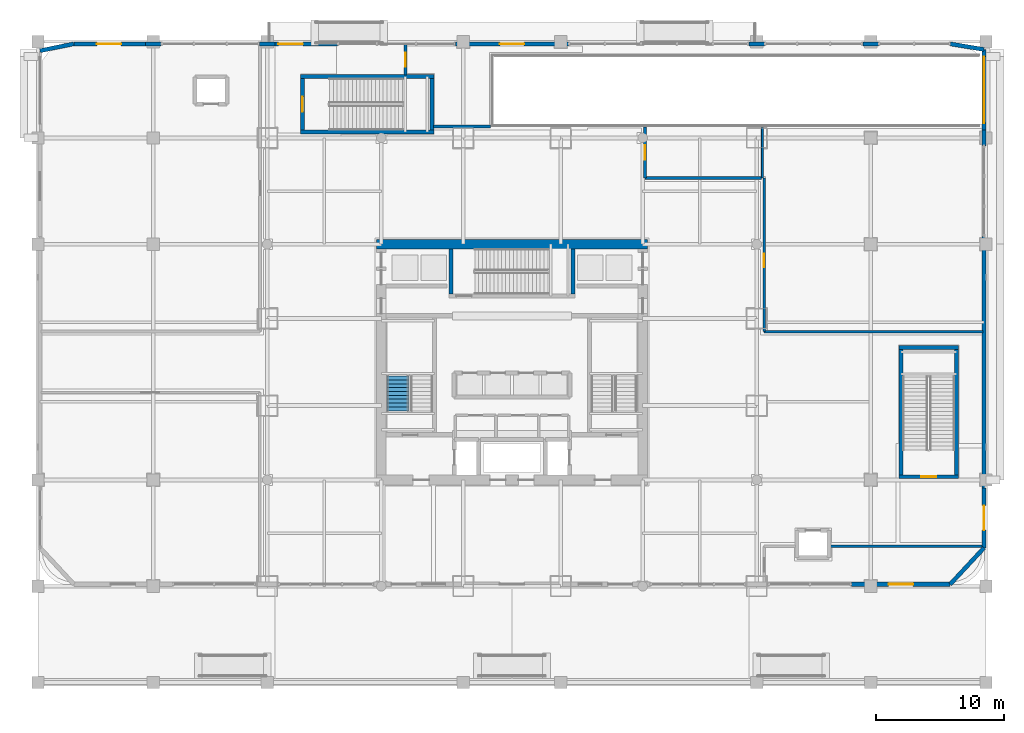
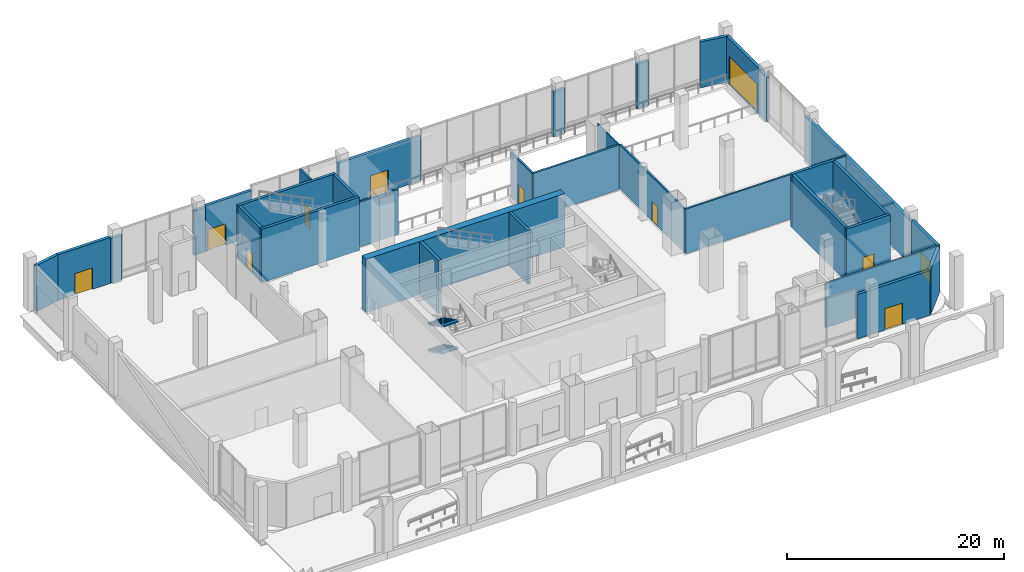
# One storey, part 23 of 32: 34 walls, 11 doors, 2 stair flights, 11 openings, 1 element without a shape of its own.
"""IFC4 building model written with IfcOpenShell, lengths in metres."""

from ifc_helpers import new_model, si_unit, direction, frame, frame_2d, origin, place, context, subcontext, project, spatial, polyline, rectangle, outline, extrude, material, layer, layer_set, type_object, element, fill, aggregate, save


model = new_model("IFC4")

# Units and contexts
model_context = context("Model", 3, precision=1e-05, world=origin(), true_north=direction((0.0, 1.0)))
body_context = subcontext(model_context, "Body", "Model", "MODEL_VIEW")
ifc_project = project(units=[si_unit("LENGTHUNIT", "METRE"), si_unit("AREAUNIT", "SQUARE_METRE"), si_unit("VOLUMEUNIT", "CUBIC_METRE"), si_unit("PLANEANGLEUNIT", "RADIAN"), si_unit("MASSUNIT", "GRAM", prefix="KILO")], contexts=[model_context])

# Site, building, storey
site_placement = place(None, origin())
site = spatial("IfcSite", under=ifc_project, at=site_placement, CompositionType="ELEMENT")
building_placement = place(site_placement, origin())
building = spatial("IfcBuilding", under=site, at=building_placement, Name="Punatoya Terracotta Tower", CompositionType="ELEMENT")
storey_placement = place(building_placement, origin())
storey = spatial("IfcBuildingStorey", under=building, at=storey_placement, Name="L00", CompositionType="ELEMENT", Elevation=0.0)

# Walls
ifc_material_1 = material(Name="Concrete C60/75", Category="concrete")
ifc_layer_1 = layer(ifc_material_1, 0.75)
ifc_layer_set_1 = layer_set([ifc_layer_1], Name="Concrete C60/75")
wall_type_1 = type_object("IfcWallType", Name="WL-COR-750", PredefinedType="SHEAR", material=ifc_layer_set_1)
wall_1_placement = place(storey_placement, frame((-10.574951171875, 9.199951171875, 0.0), z_axis=(0.0, 0.0, 1.0), x_axis=(1.0, 0.0, 0.0)))
element("IfcWall", 1, at=wall_1_placement, inside=storey, type_object=wall_type_1, Name="L00 Core Shear Wall N", PredefinedType="SHEAR", context=body_context, shape_type="SweptSolid", body=[
    extrude(rectangle(XDim=21.14990234375, YDim=0.75, at=frame_2d((10.574951171875, 0.0))), origin(), (0.0, 0.0, 1.0), 6.0),
])
ifc_material_2 = material(Name="Gypsum Fireboard + Steel Stud", Category="steel")
ifc_layer_2 = layer(ifc_material_2, 0.179931640625)
ifc_layer_set_2 = layer_set([ifc_layer_2], Name="Gypsum Fireboard + Steel Stud")
wall_type_2 = type_object("IfcWallType", Name="WL-CORR-180", PredefinedType="PARTITIONING", material=ifc_layer_set_2)
wall_2_placement = place(storey_placement, frame((24.860107421875, -14.3798828125, 0.0), z_axis=(0.0, 0.0, 1.0), x_axis=(1.0, 0.0, 0.0)))
element("IfcWall", 2, at=wall_2_placement, inside=storey, type_object=wall_type_2, Name="L00 Waterfront Banking and Visitor Reception Suite Partition 14", PredefinedType="PARTITIONING", context=body_context, shape_type="SweptSolid", body=[
    extrude(rectangle(XDim=11.919921875, YDim=0.179931640625, at=frame_2d((5.9599609375, 0.0))), origin(), (0.0, 0.0, 1.0), 5.013916015625),
])

# Wall, opening, door
wall_3_placement = place(storey_placement, frame((19.679931640625, 2.3798828125, 0.0), z_axis=(0.0, 0.0, 1.0), x_axis=(0.0, 1.0, 0.0)))
wall_3 = element("IfcWall", 3, at=wall_3_placement, inside=storey, type_object=wall_type_2, Name="L00 Executive Arrival and Security Screening Suite Partition 15", PredefinedType="PARTITIONING", context=body_context, shape_type="SweptSolid", body=[
    extrude(rectangle(XDim=12.0, YDim=0.179931640625, at=frame_2d((6.0, 0.0))), origin(), (0.0, 0.0, 1.0), 5.013916015625),
])
opening_1_placement = place(wall_3_placement, frame((5.02490234375, 0.0, 0.0)))
opening_1 = element("IfcOpeningElement", 4, at=opening_1_placement, cuts=wall_3, Name="Opening OD-01", PredefinedType="OPENING", context=body_context, shape_type="SweptSolid", body=[
    extrude(rectangle(XDim=1.050048828125, YDim=2.199951171875, at=frame_2d((0.52490234375, 1.10009765625))), frame((0.0, 0.099853515625, 0.0), z_axis=(0.0, -1.0, 0.0), x_axis=(1.0, 0.0, 0.0)), (0.0, 0.0, 1.0), 0.199951171875),
])
ifc_material_3 = material(Name="Bengal Teak Solid-Core Leaf")
door_type_1 = type_object("IfcDoorType", Name="DR-OFF-1050", OperationType="NOTDEFINED", PredefinedType="DOOR", material=ifc_material_3)
door_1_placement = place(opening_1_placement, origin())
door_1 = element("IfcDoor", 5, at=door_1_placement, inside=storey, type_object=door_type_1, Name="L00 Executive Arrival and Security Screening Suite Door", OperationType="SINGLE_SWING_LEFT", OverallHeight=2.199951171875, OverallWidth=1.050048828125, PredefinedType="DOOR", context=body_context, shape_type="SweptSolid", body=[
    extrude(rectangle(XDim=1.050048828125, YDim=2.199951171875, at=frame_2d((0.52490234375, 1.10009765625))), frame((0.0, 0.02490234375, 0.0), z_axis=(0.0, -1.0, 0.0), x_axis=(1.0, 0.0, 0.0)), (0.0, 0.0, 1.0), 0.050048828125),
])
fill(opening_1, door_1)

# Wall
wall_4_placement = place(storey_placement, frame((36.780029296875, 2.3798828125, 0.0), z_axis=(0.0, 0.0, 1.0), x_axis=(-1.0, 0.0, 0.0)))
element("IfcWall", 6, at=wall_4_placement, inside=storey, type_object=wall_type_2, Name="L00 Executive Arrival and Security Screening Suite Partition 17", PredefinedType="PARTITIONING", context=body_context, shape_type="SweptSolid", body=[
    extrude(rectangle(XDim=17.10009765625, YDim=0.179931640625, at=frame_2d((8.550048828125, 0.0))), origin(), (0.0, 0.0, 1.0), 5.013916015625),
])

# Wall, opening, door
ifc_material_4 = material(Name="Precast concrete C40/50", Category="concrete")
ifc_layer_3 = layer(ifc_material_4, 0.320068359375)
ifc_layer_set_3 = layer_set([ifc_layer_3], Name="Precast concrete C40/50")
wall_type_3 = type_object("IfcWallType", Name="WL-EXT-320", PredefinedType="SOLIDWALL", material=ifc_layer_set_3)
wall_5_placement = place(storey_placement, frame((34.199951171875, -17.340087890625, 0.0), z_axis=(0.0, 0.0, 1.0), x_axis=(-1.0, 0.0, 0.0)))
wall_5 = element("IfcWall", 7, at=wall_5_placement, inside=storey, type_object=wall_type_3, Name="L00 South-East Terracotta Portal Wall", PredefinedType="SOLIDWALL", context=body_context, shape_type="SweptSolid", body=[
    extrude(rectangle(XDim=7.699951171875, YDim=0.320068359375, at=frame_2d((3.85009765625, 0.0))), origin(), (0.0, 0.0, 1.0), 5.013916015625),
])
opening_2_placement = place(wall_5_placement, frame((2.89990234375, 0.0, 0.0)))
opening_2 = element("IfcOpeningElement", 8, at=opening_2_placement, cuts=wall_5, Name="Opening EX-D1", PredefinedType="OPENING", context=body_context, shape_type="SweptSolid", body=[
    extrude(rectangle(XDim=1.89990234375, YDim=2.39990234375, at=frame_2d((0.949951171875, 1.199951171875))), frame((0.0, 0.169921875, 0.0), z_axis=(0.0, -1.0, 0.0), x_axis=(1.0, 0.0, 0.0)), (0.0, 0.0, 1.0), 0.340087890625),
])
ifc_material_5 = material(Name="Aluminium 6063-T6 + Safety Glass", Category="aluminium")
door_type_2 = type_object("IfcDoorType", Name="DR-EXIT-1900", OperationType="NOTDEFINED", PredefinedType="DOOR", material=ifc_material_5)
door_2_placement = place(opening_2_placement, origin())
door_2 = element("IfcDoor", 9, at=door_2_placement, inside=storey, type_object=door_type_2, Name="L00 South-East Waterfront Exit Door", OperationType="DOUBLE_DOOR_SINGLE_SWING", OverallHeight=2.39990234375, OverallWidth=1.89990234375, PredefinedType="DOOR", context=body_context, shape_type="SweptSolid", body=[
    extrude(rectangle(XDim=1.89990234375, YDim=2.39990234375, at=frame_2d((0.949951171875, 1.199951171875))), frame((0.0, 0.02490234375, 0.0), z_axis=(0.0, -1.0, 0.0), x_axis=(1.0, 0.0, 0.0)), (0.0, 0.0, 1.0), 0.050048828125),
])
fill(opening_2, door_2)

wall_6_placement = place(storey_placement, frame((-34.199951171875, 24.840087890625, 0.0), z_axis=(0.0, 0.0, 1.0), x_axis=(1.0, 0.0, 0.0)))
wall_6 = element("IfcWall", 10, at=wall_6_placement, inside=storey, type_object=wall_type_3, Name="L00 North-West Exit Portal", PredefinedType="SOLIDWALL", context=body_context, shape_type="SweptSolid", body=[
    extrude(rectangle(XDim=5.579833984375, YDim=0.320068359375, at=frame_2d((2.7900390625, 0.0))), origin(), (0.0, 0.0, 1.0), 5.1640625),
])
opening_3_placement = place(wall_6_placement, frame((1.800048828125, 0.0, 0.0)))
opening_3 = element("IfcOpeningElement", 11, at=opening_3_placement, cuts=wall_6, Name="Opening EX-D1", PredefinedType="OPENING", context=body_context, shape_type="SweptSolid", body=[
    extrude(rectangle(XDim=1.89990234375, YDim=2.39990234375, at=frame_2d((0.949951171875, 1.199951171875))), frame((0.0, 0.169921875, 0.0), z_axis=(0.0, -1.0, 0.0), x_axis=(1.0, 0.0, 0.0)), (0.0, 0.0, 1.0), 0.340087890625),
])
door_3_placement = place(opening_3_placement, origin())
door_3 = element("IfcDoor", 12, at=door_3_placement, inside=storey, type_object=door_type_2, Name="L00 North-West Concourse Final Exit Door", OperationType="DOUBLE_DOOR_SINGLE_SWING", OverallHeight=2.39990234375, OverallWidth=1.89990234375, PredefinedType="DOOR", context=body_context, shape_type="SweptSolid", body=[
    extrude(rectangle(XDim=1.89990234375, YDim=2.39990234375, at=frame_2d((0.949951171875, 1.199951171875))), frame((0.0, 0.02490234375, 0.0), z_axis=(0.0, -1.0, 0.0), x_axis=(1.0, 0.0, 0.0)), (0.0, 0.0, 1.0), 0.050048828125),
])
fill(opening_3, door_3)

# Walls
wall_7_placement = place(storey_placement, frame((-28.6201171875, 24.840087890625, 0.0), z_axis=(0.0, 0.0, 1.0), x_axis=(1.0, 0.0, 0.0)))
element("IfcWall", 13, at=wall_7_placement, inside=storey, type_object=wall_type_3, Name="L00 North Pier 2-H", PredefinedType="SOLIDWALL", context=body_context, shape_type="SweptSolid", body=[
    extrude(rectangle(XDim=1.240234375, YDim=0.320068359375, at=frame_2d((0.6201171875, 0.0))), origin(), (0.0, 0.0, 1.0), 5.013916015625),
])
wall_8_placement = place(storey_placement, frame((-19.719970703125, 24.840087890625, 0.0), z_axis=(0.0, 0.0, 1.0), x_axis=(1.0, 0.0, 0.0)))
element("IfcWall", 14, at=wall_8_placement, inside=storey, type_object=wall_type_3, Name="L00 North Pier 3-H", PredefinedType="SOLIDWALL", context=body_context, shape_type="SweptSolid", body=[
    extrude(rectangle(XDim=1.239990234375, YDim=0.320068359375, at=frame_2d((0.6201171875, 0.0))), origin(), (0.0, 0.0, 1.0), 5.013916015625),
])

# Wall, opening, door
wall_9_placement = place(storey_placement, frame((-18.47998046875, 24.840087890625, 0.0), z_axis=(0.0, 0.0, 1.0), x_axis=(1.0, 0.0, 0.0)))
wall_9 = element("IfcWall", 15, at=wall_9_placement, inside=storey, type_object=wall_type_3, Name="L00 Stair ST-P1 Protected Exit Portal", PredefinedType="SOLIDWALL", context=body_context, shape_type="SweptSolid", body=[
    extrude(rectangle(XDim=4.8798828125, YDim=0.320068359375, at=frame_2d((2.43994140625, 0.0))), origin(), (0.0, 0.0, 1.0), 5.1640625),
])
opening_4_placement = place(wall_9_placement, frame((0.25, 0.0, 0.0)))
opening_4 = element("IfcOpeningElement", 16, at=opening_4_placement, cuts=wall_9, Name="Opening EX-D1", PredefinedType="OPENING", context=body_context, shape_type="SweptSolid", body=[
    extrude(rectangle(XDim=1.89990234375, YDim=2.39990234375, at=frame_2d((0.949951171875, 1.199951171875))), frame((0.0, 0.169921875, 0.0), z_axis=(0.0, -1.0, 0.0), x_axis=(1.0, 0.0, 0.0)), (0.0, 0.0, 1.0), 0.340087890625),
])
door_4_placement = place(opening_4_placement, origin())
door_4 = element("IfcDoor", 17, at=door_4_placement, inside=storey, type_object=door_type_2, Name="L00 Stair ST-P1 Protected Final Exit Door", OperationType="DOUBLE_DOOR_SINGLE_SWING", OverallHeight=2.39990234375, OverallWidth=1.89990234375, PredefinedType="DOOR", context=body_context, shape_type="SweptSolid", body=[
    extrude(rectangle(XDim=1.89990234375, YDim=2.39990234375, at=frame_2d((0.949951171875, 1.199951171875))), frame((0.0, 0.02490234375, 0.0), z_axis=(0.0, -1.0, 0.0), x_axis=(1.0, 0.0, 0.0)), (0.0, 0.0, 1.0), 0.050048828125),
])
fill(opening_4, door_4)

wall_10_placement = place(storey_placement, frame((-4.419921875, 24.840087890625, 0.0), z_axis=(0.0, 0.0, 1.0), x_axis=(1.0, 0.0, 0.0)))
wall_10 = element("IfcWall", 18, at=wall_10_placement, inside=storey, type_object=wall_type_3, Name="L00 Fire Command & North Drop-Off Portal", PredefinedType="SOLIDWALL", context=body_context, shape_type="SweptSolid", body=[
    extrude(rectangle(XDim=8.83984375, YDim=0.320068359375, at=frame_2d((4.419921875, 0.0))), origin(), (0.0, 0.0, 1.0), 5.013916015625),
])
opening_5_placement = place(wall_10_placement, frame((3.469970703125, 0.0, 0.0)))
opening_5 = element("IfcOpeningElement", 19, at=opening_5_placement, cuts=wall_10, Name="Opening EX-D1", PredefinedType="OPENING", context=body_context, shape_type="SweptSolid", body=[
    extrude(rectangle(XDim=1.89990234375, YDim=2.39990234375, at=frame_2d((0.949951171875, 1.199951171875))), frame((0.0, 0.169921875, 0.0), z_axis=(0.0, -1.0, 0.0), x_axis=(1.0, 0.0, 0.0)), (0.0, 0.0, 1.0), 0.340087890625),
])
door_5_placement = place(opening_5_placement, origin())
door_5 = element("IfcDoor", 20, at=door_5_placement, inside=storey, type_object=door_type_2, Name="L00 Fire Command Direct Exterior Access Door", OperationType="DOUBLE_DOOR_SINGLE_SWING", OverallHeight=2.39990234375, OverallWidth=1.89990234375, PredefinedType="DOOR", context=body_context, shape_type="SweptSolid", body=[
    extrude(rectangle(XDim=1.89990234375, YDim=2.39990234375, at=frame_2d((0.949951171875, 1.199951171875))), frame((0.0, 0.02490234375, 0.0), z_axis=(0.0, -1.0, 0.0), x_axis=(1.0, 0.0, 0.0)), (0.0, 0.0, 1.0), 0.050048828125),
])
fill(opening_5, door_5)

# Walls
wall_11_placement = place(storey_placement, frame((18.47998046875, 24.840087890625, 0.0), z_axis=(0.0, 0.0, 1.0), x_axis=(1.0, 0.0, 0.0)))
element("IfcWall", 21, at=wall_11_placement, inside=storey, type_object=wall_type_3, Name="L00 North Pier 9-H", PredefinedType="SOLIDWALL", context=body_context, shape_type="SweptSolid", body=[
    extrude(rectangle(XDim=1.239990234375, YDim=0.320068359375, at=frame_2d((0.6201171875, 0.0))), origin(), (0.0, 0.0, 1.0), 5.013916015625),
])
wall_12_placement = place(storey_placement, frame((27.3798828125, 24.840087890625, 0.0), z_axis=(0.0, 0.0, 1.0), x_axis=(1.0, 0.0, 0.0)))
element("IfcWall", 22, at=wall_12_placement, inside=storey, type_object=wall_type_3, Name="L00 North Pier 10-H", PredefinedType="SOLIDWALL", context=body_context, shape_type="SweptSolid", body=[
    extrude(rectangle(XDim=1.240234375, YDim=0.320068359375, at=frame_2d((0.6201171875, 0.0))), origin(), (0.0, 0.0, 1.0), 5.013916015625),
])

# Wall, opening, door
wall_13_placement = place(storey_placement, frame((36.840087890625, 24.39990234375, 0.0), z_axis=(0.0, 0.0, 1.0), x_axis=(0.0, -1.0, 0.0)))
wall_13 = element("IfcWall", 23, at=wall_13_placement, inside=storey, type_object=wall_type_3, Name="L00 Basement Car-Park Ramp Exit Portal", PredefinedType="SOLIDWALL", context=body_context, shape_type="SweptSolid", body=[
    extrude(rectangle(XDim=6.2998046875, YDim=0.320068359375, at=frame_2d((3.14990234375, 0.0))), origin(), (0.0, 0.0, 1.0), 5.1640625),
])
opening_6_placement = place(wall_13_placement, frame((0.550048828125, 0.0, 0.0)))
opening_6 = element("IfcOpeningElement", 24, at=opening_6_placement, cuts=wall_13, Name="Opening VRS-1", PredefinedType="OPENING", context=body_context, shape_type="SweptSolid", body=[
    extrude(rectangle(XDim=5.199951171875, YDim=3.199951171875, at=frame_2d((2.60009765625, 1.60009765625))), frame((0.0, 0.169921875, 0.0), z_axis=(0.0, -1.0, 0.0), x_axis=(1.0, 0.0, 0.0)), (0.0, 0.0, 1.0), 0.340087890625),
])
ifc_material_6 = material(Name="Galvanised Steel Roller Shutter", Category="steel")
door_type_3 = type_object("IfcDoorType", Name="DR-SHU-5200", OperationType="NOTDEFINED", PredefinedType="GATE", material=ifc_material_6)
door_6_placement = place(opening_6_placement, origin())
door_6 = element("IfcDoor", 25, at=door_6_placement, inside=storey, type_object=door_type_3, Name="L00 Vehicle Ramp External Roller Shutter", OperationType="ROLLINGUP", OverallHeight=3.199951171875, OverallWidth=5.199951171875, PredefinedType="GATE", context=body_context, shape_type="SweptSolid", body=[
    extrude(rectangle(XDim=5.199951171875, YDim=3.199951171875, at=frame_2d((2.60009765625, 1.60009765625))), frame((0.0, 0.02490234375, 0.0), z_axis=(0.0, -1.0, 0.0), x_axis=(1.0, 0.0, 0.0)), (0.0, 0.0, 1.0), 0.050048828125),
])
fill(opening_6, door_6)

# Walls
wall_14_placement = place(storey_placement, frame((36.840087890625, 18.10009765625, 0.0), z_axis=(0.0, 0.0, 1.0), x_axis=(0.0, -1.0, 0.0)))
element("IfcWall", 26, at=wall_14_placement, inside=storey, type_object=wall_type_3, Name="L00 East Pier 11-G", PredefinedType="SOLIDWALL", context=body_context, shape_type="SweptSolid", body=[
    extrude(rectangle(XDim=1.22021484375, YDim=0.320068359375, at=frame_2d((0.610107421875, 0.0))), origin(), (0.0, 0.0, 1.0), 5.013916015625),
])
wall_15_placement = place(storey_placement, frame((36.840087890625, 9.820068359375, 0.0), z_axis=(0.0, 0.0, 1.0), x_axis=(0.0, -1.0, 0.0)))
element("IfcWall", 27, at=wall_15_placement, inside=storey, type_object=wall_type_3, Name="L00 East Braced Terracotta Shear Wall", PredefinedType="SOLIDWALL", context=body_context, shape_type="SweptSolid", body=[
    extrude(rectangle(XDim=19.64013671875, YDim=0.320068359375, at=frame_2d((9.820068359375, 0.0))), origin(), (0.0, 0.0, 1.0), 5.013916015625),
])

# Wall, opening, door
wall_16_placement = place(storey_placement, frame((36.840087890625, -9.820068359375, 0.0), z_axis=(0.0, 0.0, 1.0), x_axis=(0.0, -1.0, 0.0)))
wall_16 = element("IfcWall", 28, at=wall_16_placement, inside=storey, type_object=wall_type_3, Name="L00 East Concourse Exit Portal", PredefinedType="SOLIDWALL", context=body_context, shape_type="SweptSolid", body=[
    extrude(rectangle(XDim=4.679931640625, YDim=0.320068359375, at=frame_2d((2.33984375, 0.0))), origin(), (0.0, 0.0, 1.0), 5.1640625),
])
opening_7_placement = place(wall_16_placement, frame((1.389892578125, 0.0, 0.0)))
opening_7 = element("IfcOpeningElement", 29, at=opening_7_placement, cuts=wall_16, Name="Opening EX-D1", PredefinedType="OPENING", context=body_context, shape_type="SweptSolid", body=[
    extrude(rectangle(XDim=1.89990234375, YDim=2.39990234375, at=frame_2d((0.949951171875, 1.199951171875))), frame((0.0, 0.169921875, 0.0), z_axis=(0.0, -1.0, 0.0), x_axis=(1.0, 0.0, 0.0)), (0.0, 0.0, 1.0), 0.340087890625),
])
door_7_placement = place(opening_7_placement, origin())
door_7 = element("IfcDoor", 30, at=door_7_placement, inside=storey, type_object=door_type_2, Name="L00 East Concourse Final Exit Door", OperationType="DOUBLE_DOOR_SINGLE_SWING", OverallHeight=2.39990234375, OverallWidth=1.89990234375, PredefinedType="DOOR", context=body_context, shape_type="SweptSolid", body=[
    extrude(rectangle(XDim=1.89990234375, YDim=2.39990234375, at=frame_2d((0.949951171875, 1.199951171875))), frame((0.0, 0.02490234375, 0.0), z_axis=(0.0, -1.0, 0.0), x_axis=(1.0, 0.0, 0.0)), (0.0, 0.0, 1.0), 0.050048828125),
])
fill(opening_7, door_7)

# Walls
wall_17_placement = place(storey_placement, frame((-36.840087890625, 24.300048828125, 0.0), z_axis=(0.0, 0.0, 1.0), x_axis=(0.979714123775, 0.20040018881, 0.0)))
element("IfcWall", 31, at=wall_17_placement, inside=storey, type_object=wall_type_3, Name="L00 Terracotta Corner Pier 2", PredefinedType="SOLIDWALL", context=body_context, shape_type="SweptSolid", body=[
    extrude(rectangle(XDim=2.69482421875, YDim=0.320068359375, at=frame_2d((1.347412109375, 0.0))), origin(), (0.0, 0.0, 1.0), 5.1640625),
])
wall_18_placement = place(storey_placement, frame((34.199951171875, 24.840087890625, 0.0), z_axis=(0.0, 0.0, 1.0), x_axis=(0.986384061126, -0.164458152599, 0.0)))
element("IfcWall", 32, at=wall_18_placement, inside=storey, type_object=wall_type_3, Name="L00 Terracotta Corner Pier 3", PredefinedType="SOLIDWALL", context=body_context, shape_type="SweptSolid", body=[
    extrude(rectangle(XDim=2.676513671875, YDim=0.320068359375, at=frame_2d((1.33837890625, 0.0))), origin(), (0.0, 0.0, 1.0), 5.1640625),
])
wall_19_placement = place(storey_placement, frame((36.840087890625, -14.5, 0.0), z_axis=(0.0, 0.0, 1.0), x_axis=(-0.680854288177, -0.732418895354, 0.0)))
element("IfcWall", 33, at=wall_19_placement, inside=storey, type_object=wall_type_3, Name="L00 Terracotta Corner Pier 4", PredefinedType="SOLIDWALL", context=body_context, shape_type="SweptSolid", body=[
    extrude(rectangle(XDim=3.877685546875, YDim=0.320068359375, at=frame_2d((1.93896484375, 0.0))), origin(), (0.0, 0.0, 1.0), 5.013916015625),
])
ifc_material_7 = material(Name="Concrete C40/50", Category="concrete")
ifc_layer_4 = layer(ifc_material_7, 0.219970703125)
ifc_layer_set_4 = layer_set([ifc_layer_4], Name="Concrete C40/50")
wall_type_4 = type_object("IfcWallType", Name="WL-FIR-220", PredefinedType="SOLIDWALL", material=ifc_layer_set_4)
wall_20_placement = place(storey_placement, frame((-1.659912109375, 18.3798828125, 0.0), z_axis=(0.0, 0.0, 1.0), x_axis=(-1.0, 0.0, 0.0)))
element("IfcWall", 34, at=wall_20_placement, inside=storey, type_object=wall_type_4, Name="L00 Fire Command and Central Security Control Room Partition 18", PredefinedType="SOLIDWALL", context=body_context, shape_type="SweptSolid", body=[
    extrude(rectangle(XDim=4.47998046875, YDim=0.219970703125, at=frame_2d((2.239990234375, 0.0))), origin(), (0.0, 0.0, 1.0), 5.013916015625),
])

# Wall, opening, door
wall_21_placement = place(storey_placement, frame((-8.320068359375, 22.409912109375, 0.0), z_axis=(0.0, 0.0, 1.0), x_axis=(0.0, 1.0, 0.0)))
wall_21 = element("IfcWall", 35, at=wall_21_placement, inside=storey, type_object=wall_type_4, Name="L00 Fire Command and Central Security Control Room Partition 19", PredefinedType="SOLIDWALL", context=body_context, shape_type="SweptSolid", body=[
    extrude(rectangle(XDim=2.3701171875, YDim=0.219970703125, at=frame_2d((1.18505859375, 0.0))), origin(), (0.0, 0.0, 1.0), 5.719970703125),
])
opening_8_placement = place(wall_21_placement, frame((0.635009765625, 0.0, 0.0)))
opening_8 = element("IfcOpeningElement", 36, at=opening_8_placement, cuts=wall_21, Name="Opening FD-P1", PredefinedType="OPENING", context=body_context, shape_type="SweptSolid", body=[
    extrude(rectangle(XDim=1.10009765625, YDim=2.199951171875, at=frame_2d((0.550048828125, 1.10009765625))), frame((0.0, 0.119873046875, 0.0), z_axis=(0.0, -1.0, 0.0), x_axis=(1.0, 0.0, 0.0)), (0.0, 0.0, 1.0), 0.239990234375),
])
ifc_material_8 = material(Name="Galvanised Steel Plant Fire Door", Category="steel")
door_type_4 = type_object("IfcDoorType", Name="DR-PLT-1100", OperationType="NOTDEFINED", PredefinedType="DOOR", material=ifc_material_8)
door_8_placement = place(opening_8_placement, origin())
door_8 = element("IfcDoor", 37, at=door_8_placement, inside=storey, type_object=door_type_4, Name="L00 Fire Command and Central Security Control Room Fire Door", OperationType="SINGLE_SWING_RIGHT", OverallHeight=2.199951171875, OverallWidth=1.10009765625, PredefinedType="DOOR", context=body_context, shape_type="SweptSolid", body=[
    extrude(rectangle(XDim=1.10009765625, YDim=2.199951171875, at=frame_2d((0.550048828125, 1.10009765625))), frame((0.0, 0.02490234375, 0.0), z_axis=(0.0, -1.0, 0.0), x_axis=(1.0, 0.0, 0.0)), (0.0, 0.0, 1.0), 0.050048828125),
])
fill(opening_8, door_8)

wall_22_placement = place(storey_placement, frame((10.3798828125, 14.3798828125, 0.0), z_axis=(0.0, 0.0, 1.0), x_axis=(0.0, 1.0, 0.0)))
wall_22 = element("IfcWall", 38, at=wall_22_placement, inside=storey, type_object=wall_type_4, Name="L00 Central Mailroom and Courier Hub Partition 20", PredefinedType="SOLIDWALL", context=body_context, shape_type="SweptSolid", body=[
    extrude(rectangle(XDim=3.960205078125, YDim=0.219970703125, at=frame_2d((1.97998046875, 0.0))), origin(), (0.0, 0.0, 1.0), 5.013916015625),
])
opening_9_placement = place(wall_22_placement, frame((1.429931640625, 0.0, 0.0)))
opening_9 = element("IfcOpeningElement", 39, at=opening_9_placement, cuts=wall_22, Name="Opening FD-P1", PredefinedType="OPENING", context=body_context, shape_type="SweptSolid", body=[
    extrude(rectangle(XDim=1.10009765625, YDim=2.199951171875, at=frame_2d((0.550048828125, 1.10009765625))), frame((0.0, 0.119873046875, 0.0), z_axis=(0.0, -1.0, 0.0), x_axis=(1.0, 0.0, 0.0)), (0.0, 0.0, 1.0), 0.239990234375),
])
door_9_placement = place(opening_9_placement, origin())
door_9 = element("IfcDoor", 40, at=door_9_placement, inside=storey, type_object=door_type_4, Name="L00 Central Mailroom and Courier Hub Fire Door", OperationType="SINGLE_SWING_LEFT", OverallHeight=2.199951171875, OverallWidth=1.10009765625, PredefinedType="DOOR", context=body_context, shape_type="SweptSolid", body=[
    extrude(rectangle(XDim=1.10009765625, YDim=2.199951171875, at=frame_2d((0.550048828125, 1.10009765625))), frame((0.0, 0.02490234375, 0.0), z_axis=(0.0, -1.0, 0.0), x_axis=(1.0, 0.0, 0.0)), (0.0, 0.0, 1.0), 0.050048828125),
])
fill(opening_9, door_9)

# Walls
wall_23_placement = place(storey_placement, frame((19.4599609375, 14.3798828125, 0.0), z_axis=(0.0, 0.0, 1.0), x_axis=(-1.0, 0.0, 0.0)))
element("IfcWall", 41, at=wall_23_placement, inside=storey, type_object=wall_type_4, Name="L00 Central Mailroom and Courier Hub Partition 21", PredefinedType="SOLIDWALL", context=body_context, shape_type="SweptSolid", body=[
    extrude(rectangle(XDim=9.080078125, YDim=0.219970703125, at=frame_2d((4.5400390625, 0.0))), origin(), (0.0, 0.0, 1.0), 5.013916015625),
])
ifc_material_9 = material(Name="Acoustic Gypsum + Steel Stud", Category="steel")
ifc_layer_5 = layer(ifc_material_9, 0.139892578125)
ifc_layer_set_5 = layer_set([ifc_layer_5], Name="Acoustic Gypsum + Steel Stud")
wall_type_5 = type_object("IfcWallType", Name="WL-OFF-140", PredefinedType="PARTITIONING", material=ifc_layer_set_5)
wall_24_placement = place(storey_placement, frame((19.5400390625, 14.3798828125, 0.0), z_axis=(0.0, 0.0, 1.0), x_axis=(0.0, 1.0, 0.0)))
element("IfcWall", 42, at=wall_24_placement, inside=storey, type_object=wall_type_5, Name="L00 Executive Arrival and Security Screening Suite Partition 16", PredefinedType="PARTITIONING", context=body_context, shape_type="SweptSolid", body=[
    extrude(rectangle(XDim=3.960205078125, YDim=0.139892578125, at=frame_2d((1.97998046875, 0.0))), origin(), (0.0, 0.0, 1.0), 5.013916015625),
])
ifc_layer_6 = layer(ifc_material_7, 0.300048828125)
ifc_layer_set_6 = layer_set([ifc_layer_6], Name="Concrete C40/50")
wall_type_6 = type_object("IfcWallType", Name="WL-SHF-300", PredefinedType="SOLIDWALL", material=ifc_layer_set_6)
for number, where, z_axis, x_axis, name in (
    (43, (-4.75, 5.300048828125, 0.0), (0.0, 0.0, 1.0), (0.0, 1.0, 0.0), "L00 Structural Stair Shaft Wall SW-ST3-W"),
    (44, (4.75, 8.824951171875, 0.0), (0.0, 0.0, 1.0), (0.0, -1.0, 0.0), "L00 Structural Stair Shaft Wall SW-ST3-E"),
):
    element("IfcWall", number, at=place(storey_placement, frame(where, z_axis=z_axis, x_axis=x_axis)), inside=storey, type_object=wall_type_6, Name=name, PredefinedType="SOLIDWALL", context=body_context, shape_type="SweptSolid", body=[
        extrude(rectangle(XDim=3.52490234375, YDim=0.300048828125, at=frame_2d((1.762451171875, 0.0))), origin(), (0.0, 0.0, 1.0), 6.0),
    ])
for number, where, z_axis, x_axis, name in (
    (45, (-16.5, 17.949951171875, 0.0), (0.0, 0.0, 1.0), (1.0, 0.0, 0.0), "L00 ST-P1 South Structural Shaft Wall"),
    (46, (-6.10009765625, 22.300048828125, 0.0), (0.0, 0.0, 1.0), (-1.0, 0.0, 0.0), "L00 ST-P1 North Structural Shaft Wall"),
):
    element("IfcWall", number, at=place(storey_placement, frame(where, z_axis=z_axis, x_axis=x_axis)), inside=storey, type_object=wall_type_6, Name=name, PredefinedType="SOLIDWALL", context=body_context, shape_type="SweptSolid", body=[
        extrude(rectangle(XDim=10.39990234375, YDim=0.300048828125, at=frame_2d((5.199951171875, 0.0))), origin(), (0.0, 0.0, 1.0), 6.0),
    ])

# Wall, opening, door
wall_25_placement = place(storey_placement, frame((-16.35009765625, 18.10009765625, 0.0), z_axis=(0.0, 0.0, 1.0), x_axis=(0.0, 1.0, 0.0)))
wall_25 = element("IfcWall", 47, at=wall_25_placement, inside=storey, type_object=wall_type_6, Name="L00 ST-P1 West Structural Shaft Wall", PredefinedType="SOLIDWALL", context=body_context, shape_type="SweptSolid", body=[
    extrude(rectangle(XDim=4.0498046875, YDim=0.300048828125, at=frame_2d((2.02490234375, 0.0))), origin(), (0.0, 0.0, 1.0), 6.0),
])
opening_10_placement = place(wall_25_placement, frame((1.43505859375, 0.0, 0.0)))
opening_10 = element("IfcOpeningElement", 48, at=opening_10_placement, cuts=wall_25, Name="Opening SD-01", PredefinedType="OPENING", context=body_context, shape_type="SweptSolid", body=[
    extrude(rectangle(XDim=1.179931640625, YDim=2.199951171875, at=frame_2d((0.58984375, 1.10009765625))), frame((0.0, 0.159912109375, 0.0), z_axis=(0.0, -1.0, 0.0), x_axis=(1.0, 0.0, 0.0)), (0.0, 0.0, 1.0), 0.320068359375),
])
ifc_material_10 = material(Name="Galvanised Steel Pressurized Stair Fire Door", Category="steel")
door_type_5 = type_object("IfcDoorType", Name="DR-STR-1180", OperationType="NOTDEFINED", PredefinedType="DOOR", material=ifc_material_10)
door_10_placement = place(opening_10_placement, origin())
door_10 = element("IfcDoor", 49, at=door_10_placement, inside=storey, type_object=door_type_5, Name="L00 Podium Stair ST-P1 Fire Door", OperationType="SINGLE_SWING_LEFT", OverallHeight=2.199951171875, OverallWidth=1.179931640625, PredefinedType="DOOR", context=body_context, shape_type="SweptSolid", body=[
    extrude(rectangle(XDim=1.179931640625, YDim=2.199951171875, at=frame_2d((0.58984375, 1.10009765625))), frame((0.0, 0.02490234375, 0.0), z_axis=(0.0, -1.0, 0.0), x_axis=(1.0, 0.0, 0.0)), (0.0, 0.0, 1.0), 0.050048828125),
])
fill(opening_10, door_10)

# Wall
wall_26_placement = place(storey_placement, frame((-6.25, 22.14990234375, 0.0), z_axis=(0.0, 0.0, 1.0), x_axis=(0.0, -1.0, 0.0)))
element("IfcWall", 50, at=wall_26_placement, inside=storey, type_object=wall_type_6, Name="L00 ST-P1 East Structural Shaft Wall", PredefinedType="SOLIDWALL", context=body_context, shape_type="SweptSolid", body=[
    extrude(rectangle(XDim=4.0498046875, YDim=0.300048828125, at=frame_2d((2.02490234375, 0.0))), origin(), (0.0, 0.0, 1.0), 6.0),
])

# Wall, opening, door
wall_27_placement = place(storey_placement, frame((30.199951171875, -8.949951171875, 0.0), z_axis=(0.0, 0.0, 1.0), x_axis=(1.0, 0.0, 0.0)))
wall_27 = element("IfcWall", 51, at=wall_27_placement, inside=storey, type_object=wall_type_6, Name="L00 ST-P2 South Structural Shaft Wall", PredefinedType="SOLIDWALL", context=body_context, shape_type="SweptSolid", body=[
    extrude(rectangle(XDim=4.650146484375, YDim=0.300048828125, at=frame_2d((2.3251953125, 0.0))), origin(), (0.0, 0.0, 1.0), 6.0),
])
opening_11_placement = place(wall_27_placement, frame((1.735107421875, 0.0, 0.0)))
opening_11 = element("IfcOpeningElement", 52, at=opening_11_placement, cuts=wall_27, Name="Opening SD-01", PredefinedType="OPENING", context=body_context, shape_type="SweptSolid", body=[
    extrude(rectangle(XDim=1.179931640625, YDim=2.199951171875, at=frame_2d((0.58984375, 1.10009765625))), frame((0.0, 0.159912109375, 0.0), z_axis=(0.0, -1.0, 0.0), x_axis=(1.0, 0.0, 0.0)), (0.0, 0.0, 1.0), 0.320068359375),
])
door_11_placement = place(opening_11_placement, origin())
door_11 = element("IfcDoor", 53, at=door_11_placement, inside=storey, type_object=door_type_5, Name="L00 Podium Stair ST-P2 Fire Door", OperationType="SINGLE_SWING_RIGHT", OverallHeight=2.199951171875, OverallWidth=1.179931640625, PredefinedType="DOOR", context=body_context, shape_type="SweptSolid", body=[
    extrude(rectangle(XDim=1.179931640625, YDim=2.199951171875, at=frame_2d((0.58984375, 1.10009765625))), frame((0.0, 0.02490234375, 0.0), z_axis=(0.0, -1.0, 0.0), x_axis=(1.0, 0.0, 0.0)), (0.0, 0.0, 1.0), 0.050048828125),
])
fill(opening_11, door_11)

# Walls
wall_28_placement = place(storey_placement, frame((34.85009765625, 1.14990234375, 0.0), z_axis=(0.0, 0.0, 1.0), x_axis=(-1.0, 0.0, 0.0)))
element("IfcWall", 54, at=wall_28_placement, inside=storey, type_object=wall_type_6, Name="L00 ST-P2 North Structural Shaft Wall", PredefinedType="SOLIDWALL", context=body_context, shape_type="SweptSolid", body=[
    extrude(rectangle(XDim=4.650146484375, YDim=0.300048828125, at=frame_2d((2.3251953125, 0.0))), origin(), (0.0, 0.0, 1.0), 6.0),
])
for number, where, z_axis, x_axis, name in (
    (55, (30.35009765625, -8.800048828125, 0.0), (0.0, 0.0, 1.0), (0.0, 1.0, 0.0), "L00 ST-P2 West Structural Shaft Wall"),
    (56, (34.699951171875, 1.0, 0.0), (0.0, 0.0, 1.0), (0.0, -1.0, 0.0), "L00 ST-P2 East Structural Shaft Wall"),
):
    element("IfcWall", number, at=place(storey_placement, frame(where, z_axis=z_axis, x_axis=x_axis)), inside=storey, type_object=wall_type_6, Name=name, PredefinedType="SOLIDWALL", context=body_context, shape_type="SweptSolid", body=[
        extrude(rectangle(XDim=9.800048828125, YDim=0.300048828125, at=frame_2d((4.89990234375, 0.0))), origin(), (0.0, 0.0, 1.0), 6.0),
    ])

# Stair, stair flights
stair_type = type_object("IfcStairType", Name="STR-CORE-1550", PredefinedType="HALF_TURN_STAIR", material=ifc_material_7)
stair_placement = place(storey_placement, origin())
stair = element("IfcStair", 57, at=stair_placement, inside=storey, type_object=stair_type, Name="L00 Protected Core Exit Stair ST-1", PredefinedType="HALF_TURN_STAIR")
stair_flight_type = type_object("IfcStairFlightType", Name="SFL-CORE-1550", PredefinedType="STRAIGHT", material=ifc_material_7)
stair_flight_1_placement = place(storey_placement, frame((-8.89990234375, -1.10009765625, 1.5), z_axis=(0.0, 0.0, 1.0), x_axis=(0.0, -1.0, 0.0)))
stair_flight_1 = element("IfcStairFlight", 58, at=stair_flight_1_placement, type_object=stair_flight_type, Name="ST-1 flight 2", NumberOfRisers=10, NumberOfTreads=9, PredefinedType="STRAIGHT", RiserHeight=0.15, TreadLength=0.3, context=body_context, shape_type="SweptSolid", body=[
    extrude(outline(polyline([(0.0, 0.0), (0.0, 0.14990234375), (0.300048828125, 0.14990234375), (0.300048828125, 0.300048828125), (0.60009765625, 0.300048828125), (0.60009765625, 0.449951171875), (0.89990234375, 0.449951171875), (0.89990234375, 0.60009765625), (1.199951171875, 0.60009765625), (1.199951171875, 0.75), (1.5, 0.75), (1.5, 0.89990234375), (1.800048828125, 0.89990234375), (1.800048828125, 1.050048828125), (2.10009765625, 1.050048828125), (2.10009765625, 1.199951171875), (2.39990234375, 1.199951171875), (2.39990234375, 1.35009765625), (2.699951171875, 1.35009765625), (2.699951171875, 1.5), (2.699951171875, 1.182373046875), (0.335205078125, 0.0), (0.0, 0.0)])), frame((0.0, 0.85009765625, 0.0), z_axis=(0.0, -1.0, 0.0), x_axis=(1.0, 0.0, 0.0)), (0.0, 0.0, 1.0), 1.699951171875),
])
stair_flight_2_placement = place(storey_placement, frame((-8.89990234375, -1.10009765625, 4.5), z_axis=(0.0, 0.0, 1.0), x_axis=(0.0, -1.0, 0.0)))
stair_flight_2 = element("IfcStairFlight", 59, at=stair_flight_2_placement, type_object=stair_flight_type, Name="ST-1 flight 4", NumberOfRisers=10, NumberOfTreads=9, PredefinedType="STRAIGHT", RiserHeight=0.15, TreadLength=0.3, context=body_context, shape_type="SweptSolid", body=[
    extrude(outline(polyline([(0.0, 0.0), (0.0, 0.14990234375), (0.300048828125, 0.14990234375), (0.300048828125, 0.300048828125), (0.60009765625, 0.300048828125), (0.60009765625, 0.449951171875), (0.89990234375, 0.449951171875), (0.89990234375, 0.60009765625), (1.199951171875, 0.60009765625), (1.199951171875, 0.75), (1.5, 0.75), (1.5, 0.89990234375), (1.800048828125, 0.89990234375), (1.800048828125, 1.050048828125), (2.10009765625, 1.050048828125), (2.10009765625, 1.199951171875), (2.39990234375, 1.199951171875), (2.39990234375, 1.35009765625), (2.699951171875, 1.35009765625), (2.699951171875, 1.5), (2.699951171875, 1.182373046875), (0.335205078125, 0.0), (0.0, 0.0)])), frame((0.0, 0.85009765625, 0.0), z_axis=(0.0, -1.0, 0.0), x_axis=(1.0, 0.0, 0.0)), (0.0, 0.0, 1.0), 1.699951171875),
])
aggregate(stair, [stair_flight_1, stair_flight_2])

save(model, "model.ifc")
